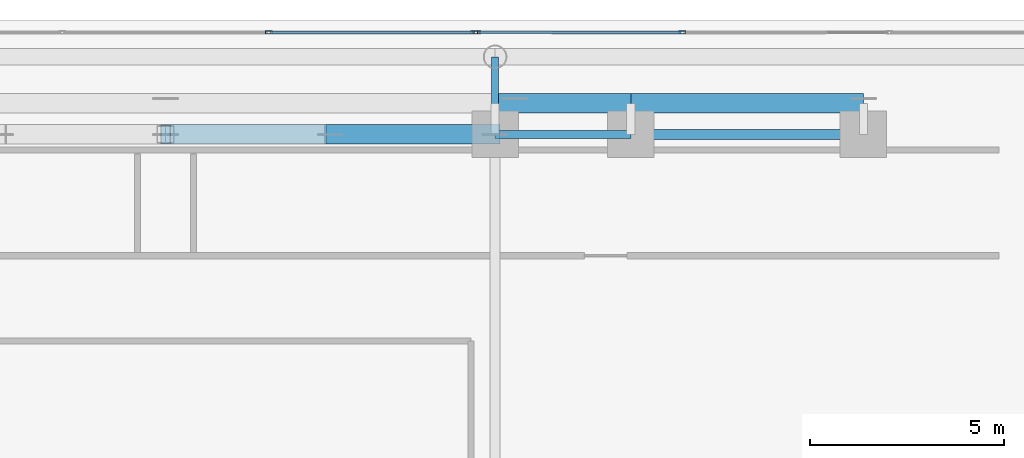
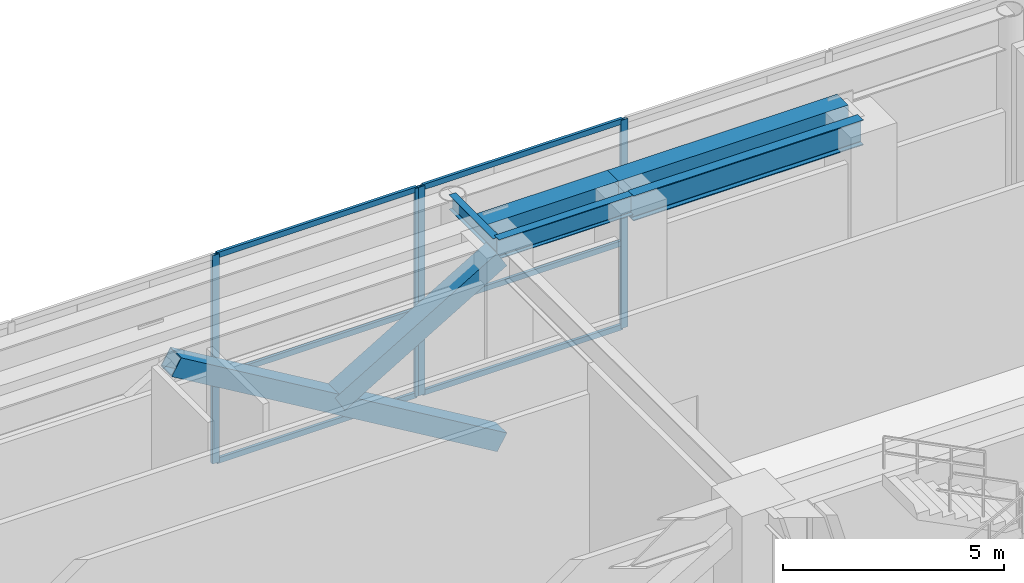
# One storey, part 15 of 29: 12 members, 5 beams, 2 elements without a shape of their own.
"""IFC4 building model written with IfcOpenShell, lengths in metres."""

from ifc_helpers import new_model, si_unit, direction, frame, origin, origin_2d, place, context, subcontext, project, spatial, hollow_rectangle, i_section, extrude, source, transform, mapped, material, layer, layer_set, material_profile, profile_set, type_object, element, aggregate, save


model = new_model("IFC4")

# Units and contexts
model_context = context("Model", 3, precision=1e-05, world=origin(), true_north=direction((0.0, 1.0)))
body_context = subcontext(model_context, "Body", "Model", "MODEL_VIEW")
ifc_project = project(units=[si_unit("LENGTHUNIT", "METRE"), si_unit("AREAUNIT", "SQUARE_METRE"), si_unit("VOLUMEUNIT", "CUBIC_METRE"), si_unit("PLANEANGLEUNIT", "RADIAN"), si_unit("MASSUNIT", "GRAM", prefix="KILO")], contexts=[model_context])

# Site, building, storey
site_placement = place(None, origin())
site = spatial("IfcSite", under=ifc_project, at=site_placement, CompositionType="ELEMENT")
building_placement = place(site_placement, origin())
building = spatial("IfcBuilding", under=site, at=building_placement, Name="Ocotamira Hotel", CompositionType="ELEMENT")
storey_placement = place(building_placement, frame((0.0, 0.0, 28.800048828125)))
storey = spatial("IfcBuildingStorey", under=building, at=storey_placement, Name="L06", CompositionType="ELEMENT", Elevation=28.800048828125)

# Beams
ifc_material_1 = material(Name="Steel ASTM A992 Grade 50", Category="steel")
ifc_material_profile_1 = material_profile(ifc_material_1, i_section(OverallWidth=0.256103515625, OverallDepth=0.693115234375, WebThickness=0.014404296875, FlangeThickness=0.023681640625, FilletRadius=0.01611328125, at=origin_2d()), Name="W27X114")
ifc_profile_set_1 = profile_set([ifc_material_profile_1], Name="Steel ASTM A992 Grade 50")
beam_type_1 = type_object("IfcBeamType", Name="BM-PRIM-W27X114", PredefinedType="BEAM", material=ifc_profile_set_1)
shared_shape_1 = source(origin(), body_context, "Body", "SweptSolid", [
    extrude(i_section(OverallWidth=0.256103515625, OverallDepth=0.693115234375, WebThickness=0.014404296875, FlangeThickness=0.023681640625, FilletRadius=0.01611328125, at=origin_2d()), origin(), (0.0, 0.0, 1.0), 6.0),
])
beam_1_placement = place(storey_placement, frame((44.0, 49.050048828125, 5.403564453125), z_axis=(1.0, 0.0, 0.0), x_axis=(0.0, 1.0, 0.0)))
element("IfcBeam", 1, at=beam_1_placement, inside=storey, type_object=beam_type_1, Name="L06 Girder Y49.05 X44-50", PredefinedType="BEAM", context=body_context, shape_type="MappedRepresentation", body=[
    mapped(shared_shape_1, transform((0.0, 0.0, 0.0), scale=1.0)),
])
ifc_material_profile_2 = material_profile(ifc_material_1, i_section(OverallWidth=0.2099609375, OverallDepth=0.537109375, WebThickness=0.010986328125, FlangeThickness=0.017333984375, FilletRadius=0.012939453125, at=origin_2d()), Name="W21X68")
ifc_profile_set_2 = profile_set([ifc_material_profile_2], Name="Steel ASTM A992 Grade 50")
beam_type_2 = type_object("IfcBeamType", Name="BM-SEC-W21X68", PredefinedType="JOIST", material=ifc_profile_set_2)
shared_shape_2 = source(origin(), body_context, "Body", "SweptSolid", [
    extrude(i_section(OverallWidth=0.2099609375, OverallDepth=0.537109375, WebThickness=0.010986328125, FlangeThickness=0.017333984375, FilletRadius=0.012939453125, at=origin_2d()), origin(), (0.0, 0.0, 1.0), 3.5),
])
beam_2_placement = place(storey_placement, frame((40.5, 49.050048828125, 5.4814453125), z_axis=(1.0, 0.0, 0.0), x_axis=(0.0, 1.0, 0.0)))
element("IfcBeam", 2, at=beam_2_placement, inside=storey, type_object=beam_type_2, Name="L06 Girder Y49.05 X40.5-44", PredefinedType="JOIST", context=body_context, shape_type="MappedRepresentation", body=[
    mapped(shared_shape_2, transform((0.0, 0.0, 0.0), scale=1.0)),
])
ifc_material_profile_3 = material_profile(ifc_material_1, i_section(OverallWidth=0.177978515625, OverallDepth=0.403076171875, WebThickness=0.007568359375, FlangeThickness=0.010986328125, FilletRadius=0.010009765625, at=origin_2d()), Name="W16X36")
ifc_profile_set_3 = profile_set([ifc_material_profile_3], Name="Steel ASTM A992 Grade 50")
beam_type_3 = type_object("IfcBeamType", Name="BM-SEC-W16X36", PredefinedType="JOIST", material=ifc_profile_set_3)
shared_shape_3 = source(origin(), body_context, "Body", "SweptSolid", [
    extrude(i_section(OverallWidth=0.177978515625, OverallDepth=0.403076171875, WebThickness=0.007568359375, FlangeThickness=0.010986328125, FilletRadius=0.010009765625, at=origin_2d()), origin(), (0.0, 0.0, 1.0), 2.0),
])
beam_3_placement = place(storey_placement, frame((40.5, 49.050048828125, 5.54833984375), z_axis=(0.0, 1.0, 0.0), x_axis=(-1.0, 0.0, 0.0)))
element("IfcBeam", 3, at=beam_3_placement, inside=storey, type_object=beam_type_3, Name="L06 Beam X40.5 Y49.05-51.05", PredefinedType="JOIST", context=body_context, shape_type="MappedRepresentation", body=[
    mapped(shared_shape_3, transform((0.0, 0.0, 0.0), scale=1.0)),
])
ifc_material_2 = material(Name="Steel ASTM A500 Grade C", Category="steel")
ifc_material_profile_4 = material_profile(ifc_material_2, hollow_rectangle(XDim=0.5, YDim=0.5, WallThickness=0.02001953125, at=origin_2d()), Name="HSS500X500X20")
ifc_profile_set_4 = profile_set([ifc_material_profile_4], Name="Steel ASTM A500 Grade C")
beam_type_4 = type_object("IfcBeamType", Name="BM-SPAN-HSS500", PredefinedType="USERDEFINED", material=ifc_profile_set_4)
shared_shape_4 = source(origin(), body_context, "Body", "SweptSolid", [
    extrude(hollow_rectangle(XDim=0.5, YDim=0.5, WallThickness=0.02001953125, at=origin_2d()), origin(), (0.0, 0.0, 1.0), 6.0),
])
beam_4_placement = place(storey_placement, frame((44.0, 49.85009765625, 5.5), z_axis=(1.0, 0.0, 0.0), x_axis=(0.0, 1.0, 0.0)))
element("IfcBeam", 4, at=beam_4_placement, inside=storey, type_object=beam_type_4, Name="L06 Edge Spandrel N X44-50", ObjectType="SPANDREL", PredefinedType="USERDEFINED", context=body_context, shape_type="MappedRepresentation", body=[
    mapped(shared_shape_4, transform((0.0, 0.0, 0.0), scale=1.0)),
])
shared_shape_5 = source(origin(), body_context, "Body", "SweptSolid", [
    extrude(hollow_rectangle(XDim=0.5, YDim=0.5, WallThickness=0.02001953125, at=origin_2d()), origin(), (0.0, 0.0, 1.0), 3.410888671875),
])
beam_5_placement = place(storey_placement, frame((40.589111328125, 49.85009765625, 5.5), z_axis=(1.0, 0.0, 0.0), x_axis=(0.0, 1.0, 0.0)))
element("IfcBeam", 5, at=beam_5_placement, inside=storey, type_object=beam_type_4, Name="L06 Edge Spandrel N X40.589-44", ObjectType="SPANDREL", PredefinedType="USERDEFINED", context=body_context, shape_type="MappedRepresentation", body=[
    mapped(shared_shape_5, transform((0.0, 0.0, 0.0), scale=1.0)),
])

# Members
ifc_material_3 = material(Name="Steel ASTM A913 Grade 65", Category="steel")
ifc_material_profile_5 = material_profile(ifc_material_3, hollow_rectangle(XDim=0.5, YDim=0.5, WallThickness=0.02001953125, at=origin_2d()), Name="HSS500X500X20")
ifc_profile_set_5 = profile_set([ifc_material_profile_5], Name="Steel ASTM A913 Grade 65")
member_type_1 = type_object("IfcMemberType", Name="MEM-OUT-HSS500", PredefinedType="BRACE", material=ifc_profile_set_5)
shared_shape_6 = source(origin(), body_context, "Body", "SweptSolid", [
    extrude(hollow_rectangle(XDim=0.5, YDim=0.5, WallThickness=0.02001953125, at=origin_2d()), origin(), (0.0, 0.0, 1.0), 9.886962890625),
])
member_1_placement = place(storey_placement, frame((32.0, 49.050048828125, 5.300048828125), z_axis=(0.859713791233, 0.0, -0.510776073405), x_axis=(0.0, 1.0, 0.0)))
element("IfcMember", 6, at=member_1_placement, inside=storey, type_object=member_type_1, Name="L06 Portal Transfer Truss Diagonal Y49.05-2", PredefinedType="BRACE", context=body_context, shape_type="MappedRepresentation", body=[
    mapped(shared_shape_6, transform((0.0, 0.0, 0.0), scale=1.0)),
])
shared_shape_7 = source(origin(), body_context, "Body", "SweptSolid", [
    extrude(hollow_rectangle(XDim=0.5, YDim=0.5, WallThickness=0.02001953125, at=origin_2d()), origin(), (0.0, 0.0, 1.0), 4.923583984375),
])
member_2_placement = place(storey_placement, frame((36.26708984375, 49.050048828125, 2.78515625), z_axis=(0.859711861236, 0.0, 0.51077932187), x_axis=(0.0, 1.0, 0.0)))
element("IfcMember", 7, at=member_2_placement, inside=storey, type_object=member_type_1, Name="L06 Portal Transfer Truss Diagonal Y49.05-4 Upper Half", PredefinedType="BRACE", context=body_context, shape_type="MappedRepresentation", body=[
    mapped(shared_shape_7, transform((0.0, 0.0, 0.0), scale=1.0)),
])

# Curtain wall, members
ifc_material_4 = material(Name="Anodised pale-metal aluminium and solar glass", Category="aluminium")
ifc_layer = layer(ifc_material_4, 0.239990234375)
ifc_layer_set = layer_set([ifc_layer], Name="Anodised pale-metal aluminium and solar glass")
curtain_wall_type = type_object("IfcCurtainWallType", Name="CW-SYS5-SKY", PredefinedType="NOTDEFINED", material=ifc_layer_set)
curtain_wall_1_placement = place(storey_placement, origin())
curtain_wall_1 = element("IfcCurtainWall", 8, at=curtain_wall_1_placement, inside=storey, type_object=curtain_wall_type, Name="L06 Curtain Wall CW-5 CW-L06-N2", PredefinedType="NOTDEFINED")
ifc_material_5 = material(Name="Anodised pale-metal aluminium 6063-T6", Category="aluminium")
ifc_material_profile_6 = material_profile(ifc_material_5, hollow_rectangle(XDim=0.074951171875, YDim=0.14990234375, WallThickness=0.006103515625, at=origin_2d()), Name="HSS150X75X6")
ifc_profile_set_6 = profile_set([ifc_material_profile_6], Name="Anodised pale-metal aluminium 6063-T6")
member_type_2 = type_object("IfcMemberType", Name="CWT-150X75", PredefinedType="USERDEFINED", material=ifc_profile_set_6)
shared_shape_8 = source(origin(), body_context, "Body", "SweptSolid", [
    extrude(hollow_rectangle(XDim=0.074951171875, YDim=0.14990234375, WallThickness=0.006103515625, at=origin_2d()), origin(), (0.0, 0.0, 1.0), 5.213134765625),
])
member_3_placement = place(storey_placement, frame((34.706787109375, 51.679931640625, 0.037353515625), z_axis=(1.0, 0.0, 0.0), x_axis=(0.0, 1.0, 0.0)))
member_3 = element("IfcMember", 9, at=member_3_placement, type_object=member_type_2, Name="CW-5 transom 3.1", ObjectType="TRANSOM", PredefinedType="USERDEFINED", context=body_context, shape_type="MappedRepresentation", body=[
    mapped(shared_shape_8, transform((0.0, 0.0, 0.0), scale=1.0)),
])
member_4_placement = place(storey_placement, frame((34.706787109375, 51.679931640625, 2.349853515625), z_axis=(1.0, 0.0, 0.0), x_axis=(0.0, 1.0, 0.0)))
member_4 = element("IfcMember", 10, at=member_4_placement, type_object=member_type_2, Name="CW-5 transom 3.2", ObjectType="TRANSOM", PredefinedType="USERDEFINED", context=body_context, shape_type="MappedRepresentation", body=[
    mapped(shared_shape_8, transform((0.0, 0.0, 0.0), scale=1.0)),
])
member_5_placement = place(storey_placement, frame((34.706787109375, 51.679931640625, 5.71240234375), z_axis=(1.0, 0.0, 0.0), x_axis=(0.0, 1.0, 0.0)))
member_5 = element("IfcMember", 11, at=member_5_placement, type_object=member_type_2, Name="CW-5 transom 3.3", ObjectType="TRANSOM", PredefinedType="USERDEFINED", context=body_context, shape_type="MappedRepresentation", body=[
    mapped(shared_shape_8, transform((0.0, 0.0, 0.0), scale=1.0)),
])

curtain_wall_2_placement = place(storey_placement, origin())
curtain_wall_2 = element("IfcCurtainWall", 12, at=curtain_wall_2_placement, inside=storey, type_object=curtain_wall_type, Name="L06 Curtain Wall CW-5 CW-L06-N3", PredefinedType="NOTDEFINED")
member_6_placement = place(storey_placement, frame((40.080078125, 51.679931640625, 0.037353515625), z_axis=(1.0, 0.0, 0.0), x_axis=(0.0, 1.0, 0.0)))
member_6 = element("IfcMember", 13, at=member_6_placement, type_object=member_type_2, Name="CW-5 transom 1.1", ObjectType="TRANSOM", PredefinedType="USERDEFINED", context=body_context, shape_type="MappedRepresentation", body=[
    mapped(shared_shape_8, transform((0.0, 0.0, 0.0), scale=1.0)),
])
member_7_placement = place(storey_placement, frame((40.080078125, 51.679931640625, 2.349853515625), z_axis=(1.0, 0.0, 0.0), x_axis=(0.0, 1.0, 0.0)))
member_7 = element("IfcMember", 14, at=member_7_placement, type_object=member_type_2, Name="CW-5 transom 1.2", ObjectType="TRANSOM", PredefinedType="USERDEFINED", context=body_context, shape_type="MappedRepresentation", body=[
    mapped(shared_shape_8, transform((0.0, 0.0, 0.0), scale=1.0)),
])
member_8_placement = place(storey_placement, frame((40.080078125, 51.679931640625, 5.71240234375), z_axis=(1.0, 0.0, 0.0), x_axis=(0.0, 1.0, 0.0)))
member_8 = element("IfcMember", 15, at=member_8_placement, type_object=member_type_2, Name="CW-5 transom 1.3", ObjectType="TRANSOM", PredefinedType="USERDEFINED", context=body_context, shape_type="MappedRepresentation", body=[
    mapped(shared_shape_8, transform((0.0, 0.0, 0.0), scale=1.0)),
])

# Member
ifc_material_profile_7 = material_profile(ifc_material_5, hollow_rectangle(XDim=0.080078125, YDim=0.179931640625, WallThickness=0.006103515625, at=origin_2d()), Name="HSS180X80X6")
ifc_profile_set_7 = profile_set([ifc_material_profile_7], Name="Anodised pale-metal aluminium 6063-T6")
member_type_3 = type_object("IfcMemberType", Name="CWM-180X75", PredefinedType="MULLION", material=ifc_profile_set_7)
shared_shape_9 = source(origin(), body_context, "Body", "SweptSolid", [
    extrude(hollow_rectangle(XDim=0.080078125, YDim=0.179931640625, WallThickness=0.006103515625, at=origin_2d()), origin(), (0.0, 0.0, 1.0), 5.75),
])
member_9_placement = place(storey_placement, frame((34.666748046875, 51.679931640625, 0.0), z_axis=(0.0, 0.0, 1.0), x_axis=(0.0, 1.0, 0.0)))
member_9 = element("IfcMember", 16, at=member_9_placement, type_object=member_type_3, Name="CW-5 mullion 3", PredefinedType="MULLION", context=body_context, shape_type="MappedRepresentation", body=[
    mapped(shared_shape_9, transform((0.0, 0.0, 0.0), scale=1.0)),
])

member_10_placement = place(storey_placement, frame((39.9599609375, 51.679931640625, 0.0), z_axis=(0.0, 0.0, 1.0), x_axis=(0.0, 1.0, 0.0)))
member_10 = element("IfcMember", 17, at=member_10_placement, type_object=member_type_3, Name="CW-5 mullion 4", PredefinedType="MULLION", context=body_context, shape_type="MappedRepresentation", body=[
    mapped(shared_shape_9, transform((0.0, 0.0, 0.0), scale=1.0)),
])

aggregate(curtain_wall_1, [member_9, member_10, member_3, member_4, member_5])

member_11_placement = place(storey_placement, frame((40.0400390625, 51.679931640625, 0.0), z_axis=(0.0, 0.0, 1.0), x_axis=(0.0, 1.0, 0.0)))
member_11 = element("IfcMember", 18, at=member_11_placement, type_object=member_type_3, Name="CW-5 mullion 1", PredefinedType="MULLION", context=body_context, shape_type="MappedRepresentation", body=[
    mapped(shared_shape_9, transform((0.0, 0.0, 0.0), scale=1.0)),
])

member_12_placement = place(storey_placement, frame((45.333251953125, 51.679931640625, 0.0), z_axis=(0.0, 0.0, 1.0), x_axis=(0.0, 1.0, 0.0)))
member_12 = element("IfcMember", 19, at=member_12_placement, type_object=member_type_3, Name="CW-5 mullion 2", PredefinedType="MULLION", context=body_context, shape_type="MappedRepresentation", body=[
    mapped(shared_shape_9, transform((0.0, 0.0, 0.0), scale=1.0)),
])

aggregate(curtain_wall_2, [member_11, member_12, member_6, member_7, member_8])

save(model, "model.ifc")
